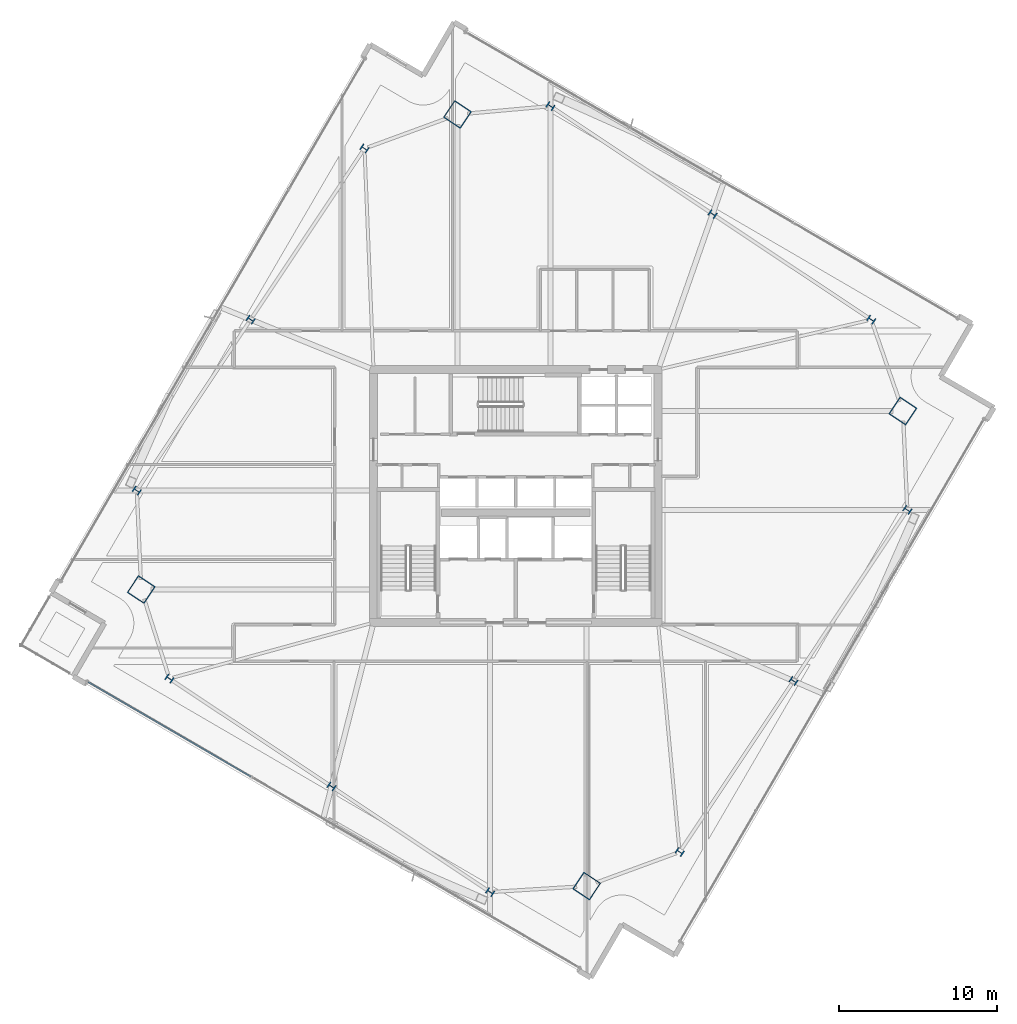
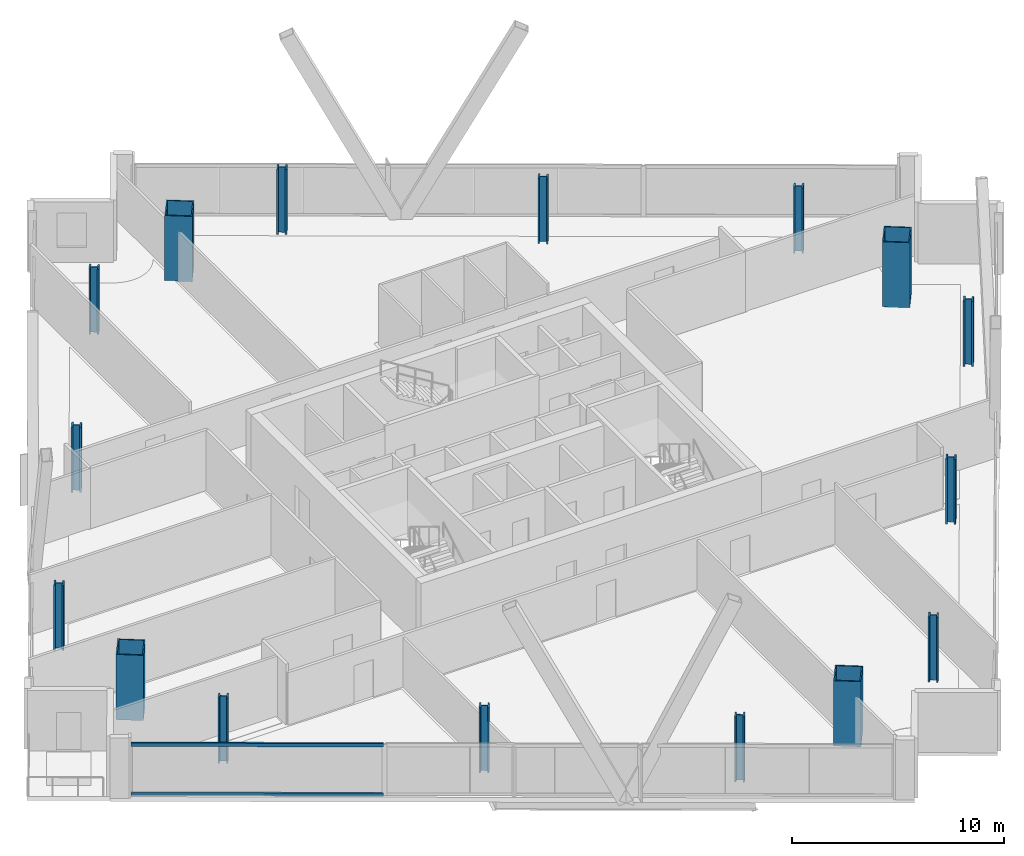
# One storey, part 1 of 29: 16 columns, 2 members, 1 element without a shape of its own.
"""IFC4 building model written with IfcOpenShell, lengths in metres."""

from ifc_helpers import new_model, si_unit, direction, frame, origin, origin_2d, place, context, subcontext, project, spatial, hollow_rectangle, i_section, extrude, material, material_profile, profile_set, type_object, element, aggregate, save


model = new_model("IFC4")

# Units and contexts
model_context = context("Model", 3, precision=1e-05, world=origin(), true_north=direction((0.0, 1.0)))
body_context = subcontext(model_context, "Body", "Model", "MODEL_VIEW")
ifc_project = project(units=[si_unit("LENGTHUNIT", "METRE"), si_unit("AREAUNIT", "SQUARE_METRE"), si_unit("VOLUMEUNIT", "CUBIC_METRE"), si_unit("PLANEANGLEUNIT", "RADIAN"), si_unit("MASSUNIT", "GRAM", prefix="KILO")], contexts=[model_context])

# Site, building, storey
site_placement = place(None, origin())
site = spatial("IfcSite", under=ifc_project, at=site_placement, CompositionType="ELEMENT")
building_placement = place(site_placement, origin())
building = spatial("IfcBuilding", under=site, at=building_placement, Name="Haldenkirk Collegiate Tower", CompositionType="ELEMENT")
storey_placement = place(building_placement, frame((0.0, 0.0, 228.449951171875)))
storey = spatial("IfcBuildingStorey", under=building, at=storey_placement, Name="L57", CompositionType="ELEMENT", Elevation=228.449951171875)

# Columns
ifc_material_1 = material(Name="Steel ASTM A913 Grade 65", Category="steel")
ifc_material_profile_1 = material_profile(ifc_material_1, i_section(OverallWidth=0.424072265625, OverallDepth=0.47412109375, WebThickness=0.047607421875, FlangeThickness=0.0771484375, at=origin_2d()), Name="W14X426")
ifc_profile_set_1 = profile_set([ifc_material_profile_1], Name="Steel ASTM A913 Grade 65")
column_type_1 = type_object("IfcColumnType", Name="COL-INT-W14X426", PredefinedType="COLUMN", material=ifc_profile_set_1)
for number, where, z_axis, x_axis, name in (
    (1, (46.363037109375, 3.48974609375, 0.0), (0.0, 0.0, 1.0), (0.554118199338, 0.832437998389, 0.0), "L57 perimeter gravity column PC-S1"),
    (2, (53.564453125, 14.30810546875, 0.0), (0.0, 0.0, 1.0), (0.554118199338, 0.832437998389, 0.0), "L57 perimeter gravity column PC-S2"),
    (3, (60.765869140625, 25.12646484375, 0.0), (0.0, 0.0, 1.0), (0.554118199338, 0.832437998389, 0.0), "L57 perimeter gravity column PC-S3"),
    (4, (58.48095703125, 37.16357421875, 0.0), (0.0, 0.0, 1.0), (0.554118199338, 0.832437998389, 0.0), "L57 perimeter gravity column PC-E1"),
    (5, (48.447509765625, 43.84228515625, 0.0), (0.0, 0.0, 1.0), (0.554118199338, 0.832437998389, 0.0), "L57 perimeter gravity column PC-E2"),
    (6, (38.192626953125, 50.66845703125, 0.0), (0.0, 0.0, 1.0), (0.554118199338, 0.832437998389, 0.0), "L57 perimeter gravity column PC-E3"),
    (7, (26.427734375, 47.98388671875, 0.0), (0.0, 0.0, 1.0), (0.554118199338, 0.832437998389, 0.0), "L57 perimeter gravity column PC-N1"),
    (8, (19.226318359375, 37.16552734375, 0.0), (0.0, 0.0, 1.0), (0.554118199338, 0.832437998389, 0.0), "L57 perimeter gravity column PC-N2"),
    (9, (12.025146484375, 26.34716796875, 0.0), (0.0, 0.0, 1.0), (0.554118199338, 0.832437998389, 0.0), "L57 perimeter gravity column PC-N3"),
    (10, (14.08837890625, 14.45751953125, 0.0), (0.0, 0.0, 1.0), (0.554118199338, 0.832437998389, 0.0), "L57 perimeter gravity column PC-W1"),
    (11, (24.34326171875, 7.63134765625, 0.0), (0.0, 0.0, 1.0), (0.554118199338, 0.832437998389, 0.0), "L57 perimeter gravity column PC-W2"),
    (12, (34.376708984375, 0.952392578125, 0.0), (0.0, 0.0, 1.0), (0.554118199338, 0.832437998389, 0.0), "L57 perimeter gravity column PC-W3"),
):
    element("IfcColumn", number, at=place(storey_placement, frame(where, z_axis=z_axis, x_axis=x_axis)), inside=storey, type_object=column_type_1, Name=name, PredefinedType="COLUMN", context=body_context, shape_type="SweptSolid", body=[
        extrude(i_section(OverallWidth=0.424072265625, OverallDepth=0.47412109375, WebThickness=0.047607421875, FlangeThickness=0.0771484375, at=origin_2d()), origin(), (0.0, 0.0, 1.0), 3.75),
    ])
ifc_material_2 = material(Name="Steel ASTM A572 Grade 50", Category="steel")
ifc_material_profile_2 = material_profile(ifc_material_2, hollow_rectangle(XDim=1.300048828125, YDim=1.300048828125, WallThickness=0.06005859375, at=origin_2d()), Name="BOX1300X1300X60")
ifc_profile_set_2 = profile_set([ifc_material_profile_2], Name="Steel ASTM A572 Grade 50")
column_type_2 = type_object("IfcColumnType", Name="COL-MEGA-BOX1300X1300X60", PredefinedType="COLUMN", material=ifc_profile_set_2)
for number, where, z_axis, x_axis, name in (
    (13, (40.482666015625, 1.332763671875, 0.0), (0.0, 0.0, 1.0), (0.554118199338, 0.832437998389, 0.0), "L57 corner mega-column MC1"),
    (14, (60.486328125, 31.3837890625, 0.0), (0.0, 0.0, 1.0), (0.554118199338, 0.832437998389, 0.0), "L57 corner mega-column MC2"),
    (15, (32.30810546875, 50.140869140625, 0.0), (0.0, 0.0, 1.0), (0.554118199338, 0.832437998389, 0.0), "L57 corner mega-column MC3"),
    (16, (12.3046875, 20.089599609375, 0.0), (0.0, 0.0, 1.0), (0.554118199338, 0.832437998389, 0.0), "L57 corner mega-column MC4"),
):
    element("IfcColumn", number, at=place(storey_placement, frame(where, z_axis=z_axis, x_axis=x_axis)), inside=storey, type_object=column_type_2, Name=name, PredefinedType="COLUMN", context=body_context, shape_type="SweptSolid", body=[
        extrude(hollow_rectangle(XDim=1.300048828125, YDim=1.300048828125, WallThickness=0.06005859375, at=origin_2d()), origin(), (0.0, 0.0, 1.0), 3.75),
    ])

# Curtain wall, members
ifc_material_3 = material(Name="Anodised architectural bronze aluminium", Category="aluminium")
curtain_wall_type = type_object("IfcCurtainWallType", Name="CW-SYS1B-CONVEX-HI", PredefinedType="USERDEFINED", material=ifc_material_3)
curtain_wall_placement = place(storey_placement, origin())
curtain_wall = element("IfcCurtainWall", 17, at=curtain_wall_placement, inside=storey, type_object=curtain_wall_type, Name="L57 Upper tower high-wind convex bronze unitised curtain wall", ObjectType="UNITISED CURTAIN WALL", PredefinedType="USERDEFINED")
ifc_material_profile_3 = material_profile(ifc_material_3, hollow_rectangle(XDim=0.0849609375, YDim=0.199951171875, WallThickness=0.0048828125, at=origin_2d()), Name="CW-TRN-1B")
ifc_profile_set_3 = profile_set([ifc_material_profile_3], Name="Anodised architectural bronze aluminium")
member_type = type_object("IfcMemberType", Name="CW-TRN-1B", PredefinedType="USERDEFINED", material=ifc_profile_set_3)
member_1_placement = place(storey_placement, frame((19.231201171875, 8.2568359375, 0.04248046875), z_axis=(-0.864277133636, 0.503015940378, 0.0), x_axis=(-0.503015940378, -0.864277133636, 0.0)))
member_1 = element("IfcMember", 18, at=member_1_placement, type_object=member_type, Name="CW-1B transom 3.1", ObjectType="TRANSOM", PredefinedType="USERDEFINED", context=body_context, shape_type="SweptSolid", body=[
    extrude(hollow_rectangle(XDim=0.0849609375, YDim=0.199951171875, WallThickness=0.0048828125, at=origin_2d()), origin(), (0.0, 0.0, 1.0), 11.8974609375),
])
member_2_placement = place(storey_placement, frame((19.231201171875, 8.2568359375, 2.885498046875), z_axis=(-0.864277133636, 0.503015940378, 0.0), x_axis=(-0.503015940378, -0.864277133636, 0.0)))
member_2 = element("IfcMember", 19, at=member_2_placement, type_object=member_type, Name="CW-1B transom 3.2", ObjectType="TRANSOM", PredefinedType="USERDEFINED", context=body_context, shape_type="SweptSolid", body=[
    extrude(hollow_rectangle(XDim=0.0849609375, YDim=0.199951171875, WallThickness=0.0048828125, at=origin_2d()), origin(), (0.0, 0.0, 1.0), 11.8974609375),
])
aggregate(curtain_wall, [member_1, member_2])

save(model, "model.ifc")
